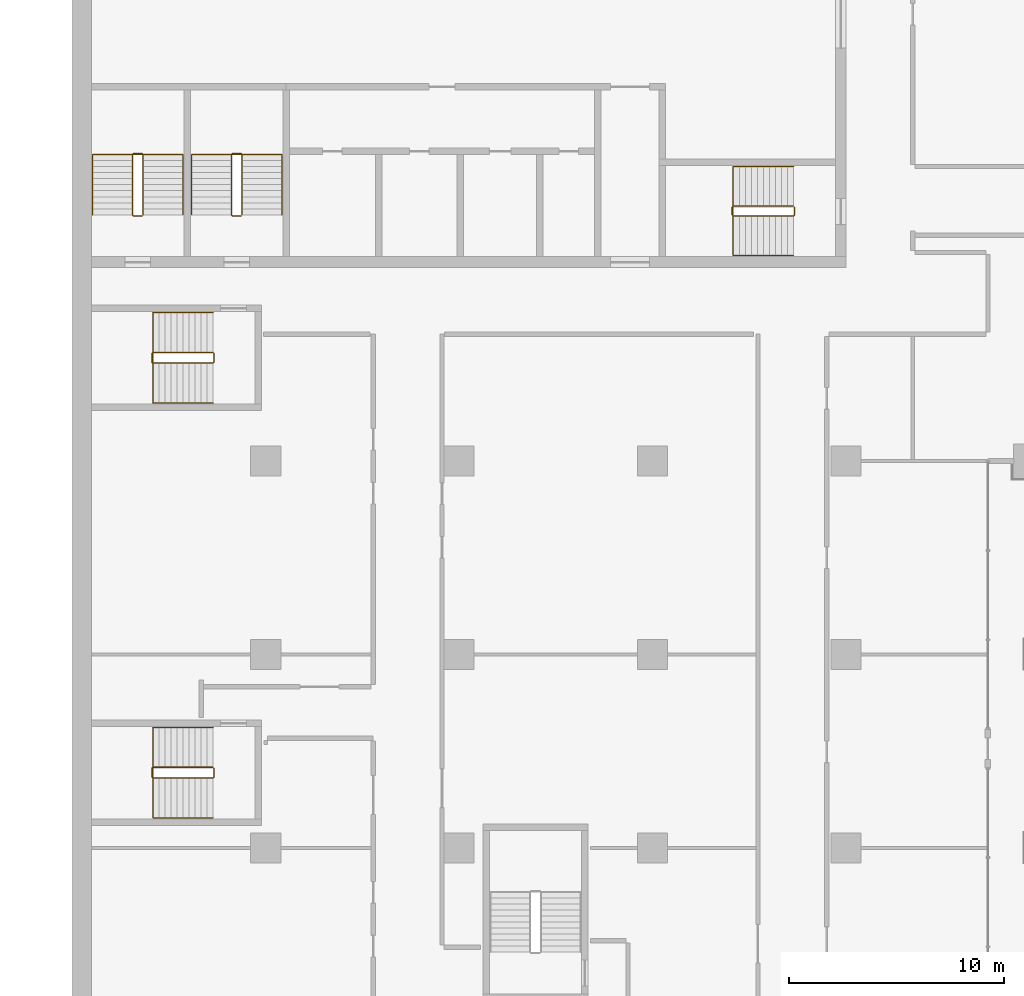
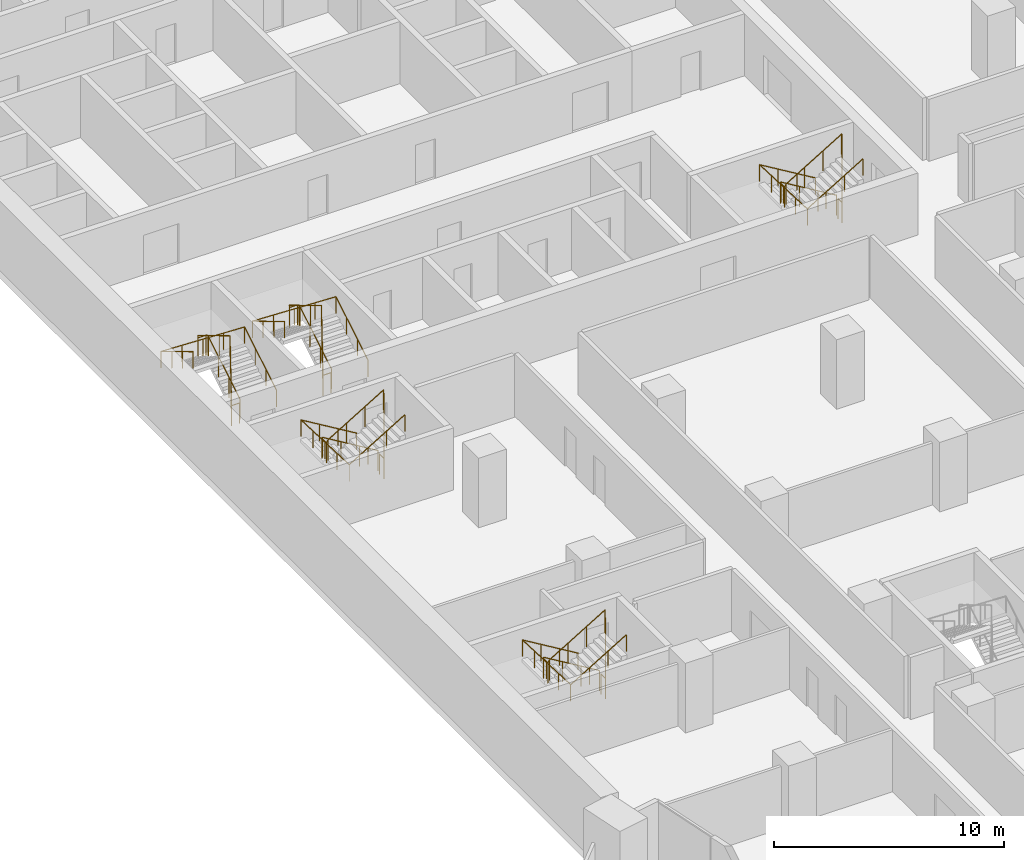
# One storey, part 25 of 28: 10 railings.
"""IFC4 building model written with IfcOpenShell, lengths in metres."""

from ifc_helpers import new_model, si_unit, direction, frame, origin, origin_2d, place, context, subcontext, project, spatial, circle, extrude, material, type_object, element, save


model = new_model("IFC4")

# Units and contexts
model_context = context("Model", 3, precision=1e-05, world=origin(), true_north=direction((0.0, 1.0)))
body_context = subcontext(model_context, "Body", "Model", "MODEL_VIEW")
ifc_project = project(units=[si_unit("LENGTHUNIT", "METRE"), si_unit("AREAUNIT", "SQUARE_METRE"), si_unit("VOLUMEUNIT", "CUBIC_METRE"), si_unit("PLANEANGLEUNIT", "RADIAN"), si_unit("MASSUNIT", "GRAM", prefix="KILO")], contexts=[model_context])

# Site, building, storey
site_placement = place(None, origin())
site = spatial("IfcSite", under=ifc_project, at=site_placement, CompositionType="ELEMENT")
building_placement = place(site_placement, origin())
building = spatial("IfcBuilding", under=site, at=building_placement, Name="Hunhe Ridgeline Campus", CompositionType="ELEMENT")
storey_placement = place(building_placement, frame((0.0, 0.0, 35.800048828125)))
storey = spatial("IfcBuildingStorey", under=building, at=storey_placement, Name="L07", CompositionType="ELEMENT", Elevation=35.800048828125)

# Railings
ifc_material_1 = material(Name="Stainless steel balustrade", Category="steel")
railing_type_1 = type_object("IfcRailingType", Name="Stair guard 1100 stainless", PredefinedType="GUARDRAIL", material=ifc_material_1)
railing_1_placement = place(storey_placement, frame((33.550048828125, 65.85009765625, 0.168212890625)))
element("IfcRailing", 1, at=railing_1_placement, inside=storey, type_object=railing_type_1, Name="L07 stair S2 guard", PredefinedType="GUARDRAIL", context=body_context, shape_type="SweptSolid", body=[
    extrude(circle(Radius=0.02392578125, at=origin_2d()), frame((0.0, 0.0, 1.076171875), z_axis=(-0.857275202839, 0.0, 0.514858452973), x_axis=(0.0, -1.0, 0.0)), (0.0, 0.0, 1.0), 3.26611328125),
    extrude(circle(Radius=0.02392578125, at=origin_2d()), frame((-2.800048828125, 0.0, 2.7578125), z_axis=(-0.707106781187, -0.707106781187, 0.0), x_axis=(0.707106781187, -0.707106781187, 0.0)), (0.0, 0.0, 1.0), 0.07080078125),
    extrude(circle(Radius=0.02392578125, at=origin_2d()), frame((-2.85009765625, -0.050048828125, 2.7578125), z_axis=(0.0, -1.0, 0.0), x_axis=(1.0, 0.0, 0.0)), (0.0, 0.0, 1.0), 0.35009765625),
    extrude(circle(Radius=0.02392578125, at=origin_2d()), frame((-2.85009765625, -0.400146484375, 2.7578125), z_axis=(0.274243871929, -0.274243871929, 0.92172696468), x_axis=(0.707106781187, 0.707106781187, 0.0)), (0.0, 0.0, 1.0), 0.1826171875),
    extrude(circle(Radius=0.02392578125, at=origin_2d()), frame((-2.800048828125, -0.4501953125, 2.92578125), z_axis=(0.857242210791, 0.0, 0.514913383045), x_axis=(0.0, 1.0, 0.0)), (0.0, 0.0, 1.0), 3.266357421875),
    extrude(circle(Radius=0.02392578125, at=origin_2d()), frame((0.0, -0.4501953125, 4.60791015625), z_axis=(0.013524414389, 0.013524414389, -0.999817073484), x_axis=(-0.707106781187, 0.707106781187, 0.0)), (0.0, 0.0, 1.0), 3.70068359375),
    extrude(circle(Radius=0.02392578125, at=origin_2d()), frame((0.050048828125, -0.400146484375, 0.90771484375), z_axis=(0.0, 1.0, 0.0), x_axis=(-1.0, 0.0, 0.0)), (0.0, 0.0, 1.0), 0.35009765625),
    extrude(circle(Radius=0.02099609375, at=origin_2d()), origin(), (0.0, 0.0, 1.0), 1.052001953125),
    extrude(circle(Radius=0.02099609375, at=origin_2d()), frame((-0.933349609375, 0.0, 0.560546875)), (0.0, 0.0, 1.0), 1.052001953125),
    extrude(circle(Radius=0.02099609375, at=origin_2d()), frame((-1.86669921875, 0.0, 1.12109375)), (0.0, 0.0, 1.0), 1.052001953125),
    extrude(circle(Radius=0.02099609375, at=origin_2d()), frame((-2.800048828125, 0.0, 1.681640625)), (0.0, 0.0, 1.0), 1.052001953125),
    extrude(circle(Radius=0.02099609375, at=origin_2d()), frame((-2.85009765625, -0.050048828125, 1.681640625)), (0.0, 0.0, 1.0), 1.052001953125),
    extrude(circle(Radius=0.02099609375, at=origin_2d()), frame((-2.85009765625, -0.400146484375, 1.681640625)), (0.0, 0.0, 1.0), 1.052001953125),
    extrude(circle(Radius=0.02099609375, at=origin_2d()), frame((-2.800048828125, -0.4501953125, 1.849853515625)), (0.0, 0.0, 1.0), 1.052001953125),
    extrude(circle(Radius=0.02099609375, at=origin_2d()), frame((-1.86669921875, -0.4501953125, 2.410400390625)), (0.0, 0.0, 1.0), 1.052001953125),
    extrude(circle(Radius=0.02099609375, at=origin_2d()), frame((-0.933349609375, -0.4501953125, 2.97119140625)), (0.0, 0.0, 1.0), 1.052001953125),
    extrude(circle(Radius=0.02099609375, at=origin_2d()), frame((0.0, -0.4501953125, 3.53173828125)), (0.0, 0.0, 1.0), 1.052001953125),
    extrude(circle(Radius=0.02099609375, at=origin_2d()), frame((0.012451171875, -0.437744140625, 2.606689453125)), (0.0, 0.0, 1.0), 1.052001953125),
    extrude(circle(Radius=0.02099609375, at=origin_2d()), frame((0.02490234375, -0.42529296875, 1.681640625)), (0.0, 0.0, 1.0), 1.052001953125),
    extrude(circle(Radius=0.02099609375, at=origin_2d()), frame((0.03759765625, -0.41259765625, 0.7568359375)), (0.0, 0.0, 1.0), 1.052001953125),
    extrude(circle(Radius=0.02099609375, at=origin_2d()), frame((0.050048828125, -0.400146484375, -0.168212890625)), (0.0, 0.0, 1.0), 1.052001953125),
    extrude(circle(Radius=0.02099609375, at=origin_2d()), frame((0.050048828125, -0.050048828125, -0.168212890625)), (0.0, 0.0, 1.0), 1.052001953125),
])
railing_2_placement = place(storey_placement, frame((3.300048828125, 65.449951171875, 0.168212890625)))
element("IfcRailing", 2, at=railing_2_placement, inside=storey, type_object=railing_type_1, Name="L07 stair S3 guard", PredefinedType="GUARDRAIL", context=body_context, shape_type="SweptSolid", body=[
    extrude(circle(Radius=0.02392578125, at=origin_2d()), frame((0.0, 0.0, 1.076171875), z_axis=(0.0, 0.857275202839, 0.514858452973), x_axis=(-1.0, 0.0, 0.0)), (0.0, 0.0, 1.0), 3.26611328125),
    extrude(circle(Radius=0.02392578125, at=origin_2d()), frame((0.0, 2.800048828125, 2.7578125), z_axis=(-0.707106781187, 0.707106781187, 0.0), x_axis=(-0.707106781187, -0.707106781187, 0.0)), (0.0, 0.0, 1.0), 0.07080078125),
    extrude(circle(Radius=0.02392578125, at=origin_2d()), frame((-0.050048828125, 2.85009765625, 2.7578125), z_axis=(-1.0, 0.0, 0.0), x_axis=(0.0, -1.0, 0.0)), (0.0, 0.0, 1.0), 0.39990234375),
    extrude(circle(Radius=0.02392578125, at=origin_2d()), frame((-0.449951171875, 2.85009765625, 2.7578125), z_axis=(-0.274243871929, -0.274243871929, 0.92172696468), x_axis=(0.707106781187, -0.707106781187, 0.0)), (0.0, 0.0, 1.0), 0.1826171875),
    extrude(circle(Radius=0.02392578125, at=origin_2d()), frame((-0.5, 2.800048828125, 2.92578125), z_axis=(0.0, -0.857242210791, 0.514913383045), x_axis=(1.0, 0.0, 0.0)), (0.0, 0.0, 1.0), 3.266357421875),
    extrude(circle(Radius=0.02392578125, at=origin_2d()), frame((-0.5, 0.0, 4.60791015625), z_axis=(0.013524414389, -0.013524414389, -0.999817073484), x_axis=(0.707106781187, 0.707106781187, 0.0)), (0.0, 0.0, 1.0), 3.70068359375),
    extrude(circle(Radius=0.02392578125, at=origin_2d()), frame((-0.449951171875, -0.050048828125, 0.90771484375), z_axis=(1.0, 0.0, 0.0), x_axis=(0.0, 1.0, 0.0)), (0.0, 0.0, 1.0), 0.39990234375),
    extrude(circle(Radius=0.02099609375, at=origin_2d()), origin(), (0.0, 0.0, 1.0), 1.052001953125),
    extrude(circle(Radius=0.02099609375, at=origin_2d()), frame((0.0, 0.933349609375, 0.560546875)), (0.0, 0.0, 1.0), 1.052001953125),
    extrude(circle(Radius=0.02099609375, at=origin_2d()), frame((0.0, 1.86669921875, 1.12109375)), (0.0, 0.0, 1.0), 1.052001953125),
    extrude(circle(Radius=0.02099609375, at=origin_2d()), frame((0.0, 2.800048828125, 1.681640625)), (0.0, 0.0, 1.0), 1.052001953125),
    extrude(circle(Radius=0.02099609375, at=origin_2d()), frame((-0.050048828125, 2.85009765625, 1.681640625)), (0.0, 0.0, 1.0), 1.052001953125),
    extrude(circle(Radius=0.02099609375, at=origin_2d()), frame((-0.449951171875, 2.85009765625, 1.681640625)), (0.0, 0.0, 1.0), 1.052001953125),
    extrude(circle(Radius=0.02099609375, at=origin_2d()), frame((-0.5, 2.800048828125, 1.849853515625)), (0.0, 0.0, 1.0), 1.052001953125),
    extrude(circle(Radius=0.02099609375, at=origin_2d()), frame((-0.5, 1.86669921875, 2.410400390625)), (0.0, 0.0, 1.0), 1.052001953125),
    extrude(circle(Radius=0.02099609375, at=origin_2d()), frame((-0.5, 0.933349609375, 2.97119140625)), (0.0, 0.0, 1.0), 1.052001953125),
    extrude(circle(Radius=0.02099609375, at=origin_2d()), frame((-0.5, 0.0, 3.53173828125)), (0.0, 0.0, 1.0), 1.052001953125),
    extrude(circle(Radius=0.02099609375, at=origin_2d()), frame((-0.487548828125, -0.012451171875, 2.606689453125)), (0.0, 0.0, 1.0), 1.052001953125),
    extrude(circle(Radius=0.02099609375, at=origin_2d()), frame((-0.47509765625, -0.02490234375, 1.681640625)), (0.0, 0.0, 1.0), 1.052001953125),
    extrude(circle(Radius=0.02099609375, at=origin_2d()), frame((-0.46240234375, -0.03759765625, 0.7568359375)), (0.0, 0.0, 1.0), 1.052001953125),
    extrude(circle(Radius=0.02099609375, at=origin_2d()), frame((-0.449951171875, -0.050048828125, -0.168212890625)), (0.0, 0.0, 1.0), 1.052001953125),
    extrude(circle(Radius=0.02099609375, at=origin_2d()), frame((-0.050048828125, -0.050048828125, -0.168212890625)), (0.0, 0.0, 1.0), 1.052001953125),
])
railing_3_placement = place(storey_placement, frame((7.89990234375, 65.449951171875, 0.168212890625)))
element("IfcRailing", 3, at=railing_3_placement, inside=storey, type_object=railing_type_1, Name="L07 stair S4 guard", PredefinedType="GUARDRAIL", context=body_context, shape_type="SweptSolid", body=[
    extrude(circle(Radius=0.02392578125, at=origin_2d()), frame((0.0, 0.0, 1.076171875), z_axis=(0.0, 0.857275202839, 0.514858452973), x_axis=(-1.0, 0.0, 0.0)), (0.0, 0.0, 1.0), 3.26611328125),
    extrude(circle(Radius=0.02392578125, at=origin_2d()), frame((0.0, 2.800048828125, 2.7578125), z_axis=(-0.705375805398, 0.708833529934, 0.0), x_axis=(-0.708833529934, -0.705375805398, 0.0)), (0.0, 0.0, 1.0), 0.070556640625),
    extrude(circle(Radius=0.02392578125, at=origin_2d()), frame((-0.0498046875, 2.85009765625, 2.7578125), z_axis=(-1.0, 0.0, 0.0), x_axis=(0.0, -1.0, 0.0)), (0.0, 0.0, 1.0), 0.400146484375),
    extrude(circle(Radius=0.02392578125, at=origin_2d()), frame((-0.449951171875, 2.85009765625, 2.7578125), z_axis=(-0.274243871929, -0.274243871929, 0.92172696468), x_axis=(0.707106781187, -0.707106781187, 0.0)), (0.0, 0.0, 1.0), 0.1826171875),
    extrude(circle(Radius=0.02392578125, at=origin_2d()), frame((-0.5, 2.800048828125, 2.92578125), z_axis=(0.0, -0.857242210791, 0.514913383045), x_axis=(1.0, 0.0, 0.0)), (0.0, 0.0, 1.0), 3.266357421875),
    extrude(circle(Radius=0.02392578125, at=origin_2d()), frame((-0.5, 0.0, 4.60791015625), z_axis=(0.013524414389, -0.013524414389, -0.999817073484), x_axis=(0.707106781187, 0.707106781187, 0.0)), (0.0, 0.0, 1.0), 3.70068359375),
    extrude(circle(Radius=0.02392578125, at=origin_2d()), frame((-0.449951171875, -0.050048828125, 0.90771484375), z_axis=(1.0, 0.0, 0.0), x_axis=(0.0, 1.0, 0.0)), (0.0, 0.0, 1.0), 0.400146484375),
    extrude(circle(Radius=0.02099609375, at=origin_2d()), origin(), (0.0, 0.0, 1.0), 1.052001953125),
    extrude(circle(Radius=0.02099609375, at=origin_2d()), frame((0.0, 0.933349609375, 0.560546875)), (0.0, 0.0, 1.0), 1.052001953125),
    extrude(circle(Radius=0.02099609375, at=origin_2d()), frame((0.0, 1.86669921875, 1.12109375)), (0.0, 0.0, 1.0), 1.052001953125),
    extrude(circle(Radius=0.02099609375, at=origin_2d()), frame((0.0, 2.800048828125, 1.681640625)), (0.0, 0.0, 1.0), 1.052001953125),
    extrude(circle(Radius=0.02099609375, at=origin_2d()), frame((-0.0498046875, 2.85009765625, 1.681640625)), (0.0, 0.0, 1.0), 1.052001953125),
    extrude(circle(Radius=0.02099609375, at=origin_2d()), frame((-0.449951171875, 2.85009765625, 1.681640625)), (0.0, 0.0, 1.0), 1.052001953125),
    extrude(circle(Radius=0.02099609375, at=origin_2d()), frame((-0.5, 2.800048828125, 1.849853515625)), (0.0, 0.0, 1.0), 1.052001953125),
    extrude(circle(Radius=0.02099609375, at=origin_2d()), frame((-0.5, 1.86669921875, 2.410400390625)), (0.0, 0.0, 1.0), 1.052001953125),
    extrude(circle(Radius=0.02099609375, at=origin_2d()), frame((-0.5, 0.933349609375, 2.97119140625)), (0.0, 0.0, 1.0), 1.052001953125),
    extrude(circle(Radius=0.02099609375, at=origin_2d()), frame((-0.5, 0.0, 3.53173828125)), (0.0, 0.0, 1.0), 1.052001953125),
    extrude(circle(Radius=0.02099609375, at=origin_2d()), frame((-0.487548828125, -0.012451171875, 2.606689453125)), (0.0, 0.0, 1.0), 1.052001953125),
    extrude(circle(Radius=0.02099609375, at=origin_2d()), frame((-0.47509765625, -0.02490234375, 1.681640625)), (0.0, 0.0, 1.0), 1.052001953125),
    extrude(circle(Radius=0.02099609375, at=origin_2d()), frame((-0.46240234375, -0.03759765625, 0.7568359375)), (0.0, 0.0, 1.0), 1.052001953125),
    extrude(circle(Radius=0.02099609375, at=origin_2d()), frame((-0.449951171875, -0.050048828125, -0.168212890625)), (0.0, 0.0, 1.0), 1.052001953125),
    extrude(circle(Radius=0.02099609375, at=origin_2d()), frame((-0.0498046875, -0.050048828125, -0.168212890625)), (0.0, 0.0, 1.0), 1.052001953125),
])
railing_4_placement = place(storey_placement, frame((6.550048828125, 39.75, 0.168212890625)))
element("IfcRailing", 4, at=railing_4_placement, inside=storey, type_object=railing_type_1, Name="L07 stair W1 guard", PredefinedType="GUARDRAIL", context=body_context, shape_type="SweptSolid", body=[
    extrude(circle(Radius=0.02392578125, at=origin_2d()), frame((0.0, 0.0, 1.076171875), z_axis=(-0.857275202839, 0.0, 0.514858452973), x_axis=(0.0, -1.0, 0.0)), (0.0, 0.0, 1.0), 3.26611328125),
    extrude(circle(Radius=0.02392578125, at=origin_2d()), frame((-2.800048828125, 0.0, 2.7578125), z_axis=(-0.707106781187, -0.707106781187, 0.0), x_axis=(0.707106781187, -0.707106781187, 0.0)), (0.0, 0.0, 1.0), 0.07080078125),
    extrude(circle(Radius=0.02392578125, at=origin_2d()), frame((-2.85009765625, -0.050048828125, 2.7578125), z_axis=(0.0, -1.0, 0.0), x_axis=(1.0, 0.0, 0.0)), (0.0, 0.0, 1.0), 0.39990234375),
    extrude(circle(Radius=0.02392578125, at=origin_2d()), frame((-2.85009765625, -0.449951171875, 2.7578125), z_axis=(0.274243871929, -0.274243871929, 0.92172696468), x_axis=(0.707106781187, 0.707106781187, 0.0)), (0.0, 0.0, 1.0), 0.1826171875),
    extrude(circle(Radius=0.02392578125, at=origin_2d()), frame((-2.800048828125, -0.5, 2.92578125), z_axis=(0.857242210791, 0.0, 0.514913383045), x_axis=(0.0, 1.0, 0.0)), (0.0, 0.0, 1.0), 3.266357421875),
    extrude(circle(Radius=0.02392578125, at=origin_2d()), frame((0.0, -0.5, 4.60791015625), z_axis=(0.013524414389, 0.013524414389, -0.999817073484), x_axis=(-0.707106781187, 0.707106781187, 0.0)), (0.0, 0.0, 1.0), 3.70068359375),
    extrude(circle(Radius=0.02392578125, at=origin_2d()), frame((0.050048828125, -0.449951171875, 0.90771484375), z_axis=(0.0, 1.0, 0.0), x_axis=(-1.0, 0.0, 0.0)), (0.0, 0.0, 1.0), 0.39990234375),
    extrude(circle(Radius=0.02099609375, at=origin_2d()), origin(), (0.0, 0.0, 1.0), 1.052001953125),
    extrude(circle(Radius=0.02099609375, at=origin_2d()), frame((-0.933349609375, 0.0, 0.560546875)), (0.0, 0.0, 1.0), 1.052001953125),
    extrude(circle(Radius=0.02099609375, at=origin_2d()), frame((-1.86669921875, 0.0, 1.12109375)), (0.0, 0.0, 1.0), 1.052001953125),
    extrude(circle(Radius=0.02099609375, at=origin_2d()), frame((-2.800048828125, 0.0, 1.681640625)), (0.0, 0.0, 1.0), 1.052001953125),
    extrude(circle(Radius=0.02099609375, at=origin_2d()), frame((-2.85009765625, -0.050048828125, 1.681640625)), (0.0, 0.0, 1.0), 1.052001953125),
    extrude(circle(Radius=0.02099609375, at=origin_2d()), frame((-2.85009765625, -0.449951171875, 1.681640625)), (0.0, 0.0, 1.0), 1.052001953125),
    extrude(circle(Radius=0.02099609375, at=origin_2d()), frame((-2.800048828125, -0.5, 1.849853515625)), (0.0, 0.0, 1.0), 1.052001953125),
    extrude(circle(Radius=0.02099609375, at=origin_2d()), frame((-1.86669921875, -0.5, 2.410400390625)), (0.0, 0.0, 1.0), 1.052001953125),
    extrude(circle(Radius=0.02099609375, at=origin_2d()), frame((-0.933349609375, -0.5, 2.97119140625)), (0.0, 0.0, 1.0), 1.052001953125),
    extrude(circle(Radius=0.02099609375, at=origin_2d()), frame((0.0, -0.5, 3.53173828125)), (0.0, 0.0, 1.0), 1.052001953125),
    extrude(circle(Radius=0.02099609375, at=origin_2d()), frame((0.012451171875, -0.487548828125, 2.606689453125)), (0.0, 0.0, 1.0), 1.052001953125),
    extrude(circle(Radius=0.02099609375, at=origin_2d()), frame((0.02490234375, -0.47509765625, 1.681640625)), (0.0, 0.0, 1.0), 1.052001953125),
    extrude(circle(Radius=0.02099609375, at=origin_2d()), frame((0.03759765625, -0.46240234375, 0.7568359375)), (0.0, 0.0, 1.0), 1.052001953125),
    extrude(circle(Radius=0.02099609375, at=origin_2d()), frame((0.050048828125, -0.449951171875, -0.168212890625)), (0.0, 0.0, 1.0), 1.052001953125),
    extrude(circle(Radius=0.02099609375, at=origin_2d()), frame((0.050048828125, -0.050048828125, -0.168212890625)), (0.0, 0.0, 1.0), 1.052001953125),
])
railing_5_placement = place(storey_placement, frame((6.550048828125, 59.050048828125, 0.168212890625)))
element("IfcRailing", 5, at=railing_5_placement, inside=storey, type_object=railing_type_1, Name="L07 stair W2 guard", PredefinedType="GUARDRAIL", context=body_context, shape_type="SweptSolid", body=[
    extrude(circle(Radius=0.02392578125, at=origin_2d()), frame((0.0, 0.0, 1.076171875), z_axis=(-0.857275202839, 0.0, 0.514858452973), x_axis=(0.0, -1.0, 0.0)), (0.0, 0.0, 1.0), 3.26611328125),
    extrude(circle(Radius=0.02392578125, at=origin_2d()), frame((-2.800048828125, 0.0, 2.7578125), z_axis=(-0.707106781187, -0.707106781187, 0.0), x_axis=(0.707106781187, -0.707106781187, 0.0)), (0.0, 0.0, 1.0), 0.07080078125),
    extrude(circle(Radius=0.02392578125, at=origin_2d()), frame((-2.85009765625, -0.050048828125, 2.7578125), z_axis=(0.0, -1.0, 0.0), x_axis=(1.0, 0.0, 0.0)), (0.0, 0.0, 1.0), 0.39990234375),
    extrude(circle(Radius=0.02392578125, at=origin_2d()), frame((-2.85009765625, -0.449951171875, 2.7578125), z_axis=(0.274243871929, -0.274243871929, 0.92172696468), x_axis=(0.707106781187, 0.707106781187, 0.0)), (0.0, 0.0, 1.0), 0.1826171875),
    extrude(circle(Radius=0.02392578125, at=origin_2d()), frame((-2.800048828125, -0.5, 2.92578125), z_axis=(0.857242210791, 0.0, 0.514913383045), x_axis=(0.0, 1.0, 0.0)), (0.0, 0.0, 1.0), 3.266357421875),
    extrude(circle(Radius=0.02392578125, at=origin_2d()), frame((0.0, -0.5, 4.60791015625), z_axis=(0.013524414389, 0.013524414389, -0.999817073484), x_axis=(-0.707106781187, 0.707106781187, 0.0)), (0.0, 0.0, 1.0), 3.70068359375),
    extrude(circle(Radius=0.02392578125, at=origin_2d()), frame((0.050048828125, -0.449951171875, 0.90771484375), z_axis=(0.0, 1.0, 0.0), x_axis=(-1.0, 0.0, 0.0)), (0.0, 0.0, 1.0), 0.39990234375),
    extrude(circle(Radius=0.02099609375, at=origin_2d()), origin(), (0.0, 0.0, 1.0), 1.052001953125),
    extrude(circle(Radius=0.02099609375, at=origin_2d()), frame((-0.933349609375, 0.0, 0.560546875)), (0.0, 0.0, 1.0), 1.052001953125),
    extrude(circle(Radius=0.02099609375, at=origin_2d()), frame((-1.86669921875, 0.0, 1.12109375)), (0.0, 0.0, 1.0), 1.052001953125),
    extrude(circle(Radius=0.02099609375, at=origin_2d()), frame((-2.800048828125, 0.0, 1.681640625)), (0.0, 0.0, 1.0), 1.052001953125),
    extrude(circle(Radius=0.02099609375, at=origin_2d()), frame((-2.85009765625, -0.050048828125, 1.681640625)), (0.0, 0.0, 1.0), 1.052001953125),
    extrude(circle(Radius=0.02099609375, at=origin_2d()), frame((-2.85009765625, -0.449951171875, 1.681640625)), (0.0, 0.0, 1.0), 1.052001953125),
    extrude(circle(Radius=0.02099609375, at=origin_2d()), frame((-2.800048828125, -0.5, 1.849853515625)), (0.0, 0.0, 1.0), 1.052001953125),
    extrude(circle(Radius=0.02099609375, at=origin_2d()), frame((-1.86669921875, -0.5, 2.410400390625)), (0.0, 0.0, 1.0), 1.052001953125),
    extrude(circle(Radius=0.02099609375, at=origin_2d()), frame((-0.933349609375, -0.5, 2.97119140625)), (0.0, 0.0, 1.0), 1.052001953125),
    extrude(circle(Radius=0.02099609375, at=origin_2d()), frame((0.0, -0.5, 3.53173828125)), (0.0, 0.0, 1.0), 1.052001953125),
    extrude(circle(Radius=0.02099609375, at=origin_2d()), frame((0.012451171875, -0.487548828125, 2.606689453125)), (0.0, 0.0, 1.0), 1.052001953125),
    extrude(circle(Radius=0.02099609375, at=origin_2d()), frame((0.02490234375, -0.47509765625, 1.681640625)), (0.0, 0.0, 1.0), 1.052001953125),
    extrude(circle(Radius=0.02099609375, at=origin_2d()), frame((0.03759765625, -0.46240234375, 0.7568359375)), (0.0, 0.0, 1.0), 1.052001953125),
    extrude(circle(Radius=0.02099609375, at=origin_2d()), frame((0.050048828125, -0.449951171875, -0.168212890625)), (0.0, 0.0, 1.0), 1.052001953125),
    extrude(circle(Radius=0.02099609375, at=origin_2d()), frame((0.050048828125, -0.050048828125, -0.168212890625)), (0.0, 0.0, 1.0), 1.052001953125),
])
ifc_material_2 = material(Name="Stainless steel handrail", Category="steel")
railing_type_2 = type_object("IfcRailingType", Name="Stair handrail 900 stainless", PredefinedType="HANDRAIL", material=ifc_material_2)
railing_6_placement = place(storey_placement, frame((33.550048828125, 67.699951171875, 0.168212890625)))
element("IfcRailing", 6, at=railing_6_placement, inside=storey, type_object=railing_type_2, Name="L07 stair S2 handrail", PredefinedType="HANDRAIL", context=body_context, shape_type="SweptSolid", body=[
    extrude(circle(Radius=0.02392578125, at=origin_2d()), frame((0.0, 0.0, 0.8759765625), z_axis=(-0.857275202839, 0.0, 0.514858452973), x_axis=(0.0, -1.0, 0.0)), (0.0, 0.0, 1.0), 3.26611328125),
    extrude(circle(Radius=0.02392578125, at=origin_2d()), frame((-2.800048828125, 0.0, 2.5576171875), z_axis=(0.0, -0.99917950104, 0.040500922239), x_axis=(1.0, 0.0, 0.0)), (0.0, 0.0, 1.0), 4.1533203125),
    extrude(circle(Radius=0.02392578125, at=origin_2d()), frame((-2.800048828125, -4.14990234375, 2.7255859375), z_axis=(0.857242210791, 0.0, 0.514913383045), x_axis=(0.0, 1.0, 0.0)), (0.0, 0.0, 1.0), 3.266357421875),
    extrude(circle(Radius=0.02099609375, at=origin_2d()), origin(), (0.0, 0.0, 1.0), 0.851806640625),
    extrude(circle(Radius=0.02099609375, at=origin_2d()), frame((-0.933349609375, 0.0, 0.560546875)), (0.0, 0.0, 1.0), 0.851806640625),
    extrude(circle(Radius=0.02099609375, at=origin_2d()), frame((-1.86669921875, 0.0, 1.12109375)), (0.0, 0.0, 1.0), 0.851806640625),
    extrude(circle(Radius=0.02099609375, at=origin_2d()), frame((-2.800048828125, 0.0, 1.681640625)), (0.0, 0.0, 1.0), 0.851806640625),
    extrude(circle(Radius=0.02099609375, at=origin_2d()), frame((-2.800048828125, -1.03759765625, 1.7236328125)), (0.0, 0.0, 1.0), 0.851806640625),
    extrude(circle(Radius=0.02099609375, at=origin_2d()), frame((-2.800048828125, -2.074951171875, 1.765625)), (0.0, 0.0, 1.0), 0.851806640625),
    extrude(circle(Radius=0.02099609375, at=origin_2d()), frame((-2.800048828125, -3.1123046875, 1.807861328125)), (0.0, 0.0, 1.0), 0.851806640625),
    extrude(circle(Radius=0.02099609375, at=origin_2d()), frame((-2.800048828125, -4.14990234375, 1.849853515625)), (0.0, 0.0, 1.0), 0.851806640625),
    extrude(circle(Radius=0.02099609375, at=origin_2d()), frame((-1.86669921875, -4.14990234375, 2.410400390625)), (0.0, 0.0, 1.0), 0.851806640625),
    extrude(circle(Radius=0.02099609375, at=origin_2d()), frame((-0.933349609375, -4.14990234375, 2.97119140625)), (0.0, 0.0, 1.0), 0.851806640625),
    extrude(circle(Radius=0.02099609375, at=origin_2d()), frame((0.0, -4.14990234375, 3.53173828125)), (0.0, 0.0, 1.0), 0.851806640625),
])
railing_7_placement = place(storey_placement, frame((5.14990234375, 65.449951171875, 0.168212890625)))
element("IfcRailing", 7, at=railing_7_placement, inside=storey, type_object=railing_type_2, Name="L07 stair S3 handrail", PredefinedType="HANDRAIL", context=body_context, shape_type="SweptSolid", body=[
    extrude(circle(Radius=0.02392578125, at=origin_2d()), frame((0.0, 0.0, 0.8759765625), z_axis=(0.0, 0.857275202839, 0.514858452973), x_axis=(-1.0, 0.0, 0.0)), (0.0, 0.0, 1.0), 3.26611328125),
    extrude(circle(Radius=0.02392578125, at=origin_2d()), frame((0.0, 2.800048828125, 2.5576171875), z_axis=(-0.999198916169, 0.0, 0.040019069537), x_axis=(0.0, -1.0, 0.0)), (0.0, 0.0, 1.0), 4.203369140625),
    extrude(circle(Radius=0.02392578125, at=origin_2d()), frame((-4.199951171875, 2.800048828125, 2.7255859375), z_axis=(0.0, -0.857242210791, 0.514913383045), x_axis=(1.0, 0.0, 0.0)), (0.0, 0.0, 1.0), 3.266357421875),
    extrude(circle(Radius=0.02099609375, at=origin_2d()), origin(), (0.0, 0.0, 1.0), 0.851806640625),
    extrude(circle(Radius=0.02099609375, at=origin_2d()), frame((0.0, 0.933349609375, 0.560546875)), (0.0, 0.0, 1.0), 0.851806640625),
    extrude(circle(Radius=0.02099609375, at=origin_2d()), frame((0.0, 1.86669921875, 1.12109375)), (0.0, 0.0, 1.0), 0.851806640625),
    extrude(circle(Radius=0.02099609375, at=origin_2d()), frame((0.0, 2.800048828125, 1.681640625)), (0.0, 0.0, 1.0), 0.851806640625),
    extrude(circle(Radius=0.02099609375, at=origin_2d()), frame((-1.050048828125, 2.800048828125, 1.7236328125)), (0.0, 0.0, 1.0), 0.851806640625),
    extrude(circle(Radius=0.02099609375, at=origin_2d()), frame((-2.10009765625, 2.800048828125, 1.765625)), (0.0, 0.0, 1.0), 0.851806640625),
    extrude(circle(Radius=0.02099609375, at=origin_2d()), frame((-3.14990234375, 2.800048828125, 1.807861328125)), (0.0, 0.0, 1.0), 0.851806640625),
    extrude(circle(Radius=0.02099609375, at=origin_2d()), frame((-4.199951171875, 2.800048828125, 1.849853515625)), (0.0, 0.0, 1.0), 0.851806640625),
    extrude(circle(Radius=0.02099609375, at=origin_2d()), frame((-4.199951171875, 1.86669921875, 2.410400390625)), (0.0, 0.0, 1.0), 0.851806640625),
    extrude(circle(Radius=0.02099609375, at=origin_2d()), frame((-4.199951171875, 0.933349609375, 2.97119140625)), (0.0, 0.0, 1.0), 0.851806640625),
    extrude(circle(Radius=0.02099609375, at=origin_2d()), frame((-4.199951171875, 0.0, 3.53173828125)), (0.0, 0.0, 1.0), 0.851806640625),
])
railing_8_placement = place(storey_placement, frame((9.75, 65.449951171875, 0.168212890625)))
element("IfcRailing", 8, at=railing_8_placement, inside=storey, type_object=railing_type_2, Name="L07 stair S4 handrail", PredefinedType="HANDRAIL", context=body_context, shape_type="SweptSolid", body=[
    extrude(circle(Radius=0.02392578125, at=origin_2d()), frame((0.0, 0.0, 0.8759765625), z_axis=(0.0, 0.857275202839, 0.514858452973), x_axis=(-1.0, 0.0, 0.0)), (0.0, 0.0, 1.0), 3.26611328125),
    extrude(circle(Radius=0.02392578125, at=origin_2d()), frame((0.0, 2.800048828125, 2.5576171875), z_axis=(-0.999198916169, 0.0, 0.040019069537), x_axis=(0.0, -1.0, 0.0)), (0.0, 0.0, 1.0), 4.203369140625),
    extrude(circle(Radius=0.02392578125, at=origin_2d()), frame((-4.199951171875, 2.800048828125, 2.7255859375), z_axis=(0.0, -0.857242210791, 0.514913383045), x_axis=(1.0, 0.0, 0.0)), (0.0, 0.0, 1.0), 3.266357421875),
    extrude(circle(Radius=0.02099609375, at=origin_2d()), origin(), (0.0, 0.0, 1.0), 0.851806640625),
    extrude(circle(Radius=0.02099609375, at=origin_2d()), frame((0.0, 0.933349609375, 0.560546875)), (0.0, 0.0, 1.0), 0.851806640625),
    extrude(circle(Radius=0.02099609375, at=origin_2d()), frame((0.0, 1.86669921875, 1.12109375)), (0.0, 0.0, 1.0), 0.851806640625),
    extrude(circle(Radius=0.02099609375, at=origin_2d()), frame((0.0, 2.800048828125, 1.681640625)), (0.0, 0.0, 1.0), 0.851806640625),
    extrude(circle(Radius=0.02099609375, at=origin_2d()), frame((-1.050048828125, 2.800048828125, 1.7236328125)), (0.0, 0.0, 1.0), 0.851806640625),
    extrude(circle(Radius=0.02099609375, at=origin_2d()), frame((-2.10009765625, 2.800048828125, 1.765625)), (0.0, 0.0, 1.0), 0.851806640625),
    extrude(circle(Radius=0.02099609375, at=origin_2d()), frame((-3.14990234375, 2.800048828125, 1.807861328125)), (0.0, 0.0, 1.0), 0.851806640625),
    extrude(circle(Radius=0.02099609375, at=origin_2d()), frame((-4.199951171875, 2.800048828125, 1.849853515625)), (0.0, 0.0, 1.0), 0.851806640625),
    extrude(circle(Radius=0.02099609375, at=origin_2d()), frame((-4.199951171875, 1.86669921875, 2.410400390625)), (0.0, 0.0, 1.0), 0.851806640625),
    extrude(circle(Radius=0.02099609375, at=origin_2d()), frame((-4.199951171875, 0.933349609375, 2.97119140625)), (0.0, 0.0, 1.0), 0.851806640625),
    extrude(circle(Radius=0.02099609375, at=origin_2d()), frame((-4.199951171875, 0.0, 3.53173828125)), (0.0, 0.0, 1.0), 0.851806640625),
])
railing_9_placement = place(storey_placement, frame((6.550048828125, 41.60009765625, 0.168212890625)))
element("IfcRailing", 9, at=railing_9_placement, inside=storey, type_object=railing_type_2, Name="L07 stair W1 handrail", PredefinedType="HANDRAIL", context=body_context, shape_type="SweptSolid", body=[
    extrude(circle(Radius=0.02392578125, at=origin_2d()), frame((0.0, 0.0, 0.8759765625), z_axis=(-0.857275202839, 0.0, 0.514858452973), x_axis=(0.0, -1.0, 0.0)), (0.0, 0.0, 1.0), 3.26611328125),
    extrude(circle(Radius=0.02392578125, at=origin_2d()), frame((-2.800048828125, 0.0, 2.5576171875), z_axis=(0.0, -0.999199009182, 0.040016747113), x_axis=(1.0, 0.0, 0.0)), (0.0, 0.0, 1.0), 4.20361328125),
    extrude(circle(Radius=0.02392578125, at=origin_2d()), frame((-2.800048828125, -4.2001953125, 2.7255859375), z_axis=(0.857242210791, 0.0, 0.514913383045), x_axis=(0.0, 1.0, 0.0)), (0.0, 0.0, 1.0), 3.266357421875),
    extrude(circle(Radius=0.02099609375, at=origin_2d()), origin(), (0.0, 0.0, 1.0), 0.851806640625),
    extrude(circle(Radius=0.02099609375, at=origin_2d()), frame((-0.933349609375, 0.0, 0.560546875)), (0.0, 0.0, 1.0), 0.851806640625),
    extrude(circle(Radius=0.02099609375, at=origin_2d()), frame((-1.86669921875, 0.0, 1.12109375)), (0.0, 0.0, 1.0), 0.851806640625),
    extrude(circle(Radius=0.02099609375, at=origin_2d()), frame((-2.800048828125, 0.0, 1.681640625)), (0.0, 0.0, 1.0), 0.851806640625),
    extrude(circle(Radius=0.02099609375, at=origin_2d()), frame((-2.800048828125, -1.050048828125, 1.7236328125)), (0.0, 0.0, 1.0), 0.851806640625),
    extrude(circle(Radius=0.02099609375, at=origin_2d()), frame((-2.800048828125, -2.10009765625, 1.765625)), (0.0, 0.0, 1.0), 0.851806640625),
    extrude(circle(Radius=0.02099609375, at=origin_2d()), frame((-2.800048828125, -3.150146484375, 1.807861328125)), (0.0, 0.0, 1.0), 0.851806640625),
    extrude(circle(Radius=0.02099609375, at=origin_2d()), frame((-2.800048828125, -4.2001953125, 1.849853515625)), (0.0, 0.0, 1.0), 0.851806640625),
    extrude(circle(Radius=0.02099609375, at=origin_2d()), frame((-1.86669921875, -4.2001953125, 2.410400390625)), (0.0, 0.0, 1.0), 0.851806640625),
    extrude(circle(Radius=0.02099609375, at=origin_2d()), frame((-0.933349609375, -4.2001953125, 2.97119140625)), (0.0, 0.0, 1.0), 0.851806640625),
    extrude(circle(Radius=0.02099609375, at=origin_2d()), frame((0.0, -4.2001953125, 3.53173828125)), (0.0, 0.0, 1.0), 0.851806640625),
])
railing_10_placement = place(storey_placement, frame((6.550048828125, 60.89990234375, 0.168212890625)))
element("IfcRailing", 10, at=railing_10_placement, inside=storey, type_object=railing_type_2, Name="L07 stair W2 handrail", PredefinedType="HANDRAIL", context=body_context, shape_type="SweptSolid", body=[
    extrude(circle(Radius=0.02392578125, at=origin_2d()), frame((0.0, 0.0, 0.8759765625), z_axis=(-0.857275202839, 0.0, 0.514858452973), x_axis=(0.0, -1.0, 0.0)), (0.0, 0.0, 1.0), 3.26611328125),
    extrude(circle(Radius=0.02392578125, at=origin_2d()), frame((-2.800048828125, 0.0, 2.5576171875), z_axis=(0.0, -0.999198916169, 0.040019069537), x_axis=(1.0, 0.0, 0.0)), (0.0, 0.0, 1.0), 4.203369140625),
    extrude(circle(Radius=0.02392578125, at=origin_2d()), frame((-2.800048828125, -4.199951171875, 2.7255859375), z_axis=(0.857242210791, 0.0, 0.514913383045), x_axis=(0.0, 1.0, 0.0)), (0.0, 0.0, 1.0), 3.266357421875),
    extrude(circle(Radius=0.02099609375, at=origin_2d()), origin(), (0.0, 0.0, 1.0), 0.851806640625),
    extrude(circle(Radius=0.02099609375, at=origin_2d()), frame((-0.933349609375, 0.0, 0.560546875)), (0.0, 0.0, 1.0), 0.851806640625),
    extrude(circle(Radius=0.02099609375, at=origin_2d()), frame((-1.86669921875, 0.0, 1.12109375)), (0.0, 0.0, 1.0), 0.851806640625),
    extrude(circle(Radius=0.02099609375, at=origin_2d()), frame((-2.800048828125, 0.0, 1.681640625)), (0.0, 0.0, 1.0), 0.851806640625),
    extrude(circle(Radius=0.02099609375, at=origin_2d()), frame((-2.800048828125, -1.050048828125, 1.7236328125)), (0.0, 0.0, 1.0), 0.851806640625),
    extrude(circle(Radius=0.02099609375, at=origin_2d()), frame((-2.800048828125, -2.10009765625, 1.765625)), (0.0, 0.0, 1.0), 0.851806640625),
    extrude(circle(Radius=0.02099609375, at=origin_2d()), frame((-2.800048828125, -3.14990234375, 1.807861328125)), (0.0, 0.0, 1.0), 0.851806640625),
    extrude(circle(Radius=0.02099609375, at=origin_2d()), frame((-2.800048828125, -4.199951171875, 1.849853515625)), (0.0, 0.0, 1.0), 0.851806640625),
    extrude(circle(Radius=0.02099609375, at=origin_2d()), frame((-1.86669921875, -4.199951171875, 2.410400390625)), (0.0, 0.0, 1.0), 0.851806640625),
    extrude(circle(Radius=0.02099609375, at=origin_2d()), frame((-0.933349609375, -4.199951171875, 2.97119140625)), (0.0, 0.0, 1.0), 0.851806640625),
    extrude(circle(Radius=0.02099609375, at=origin_2d()), frame((0.0, -4.199951171875, 3.53173828125)), (0.0, 0.0, 1.0), 0.851806640625),
])

save(model, "model.ifc")
